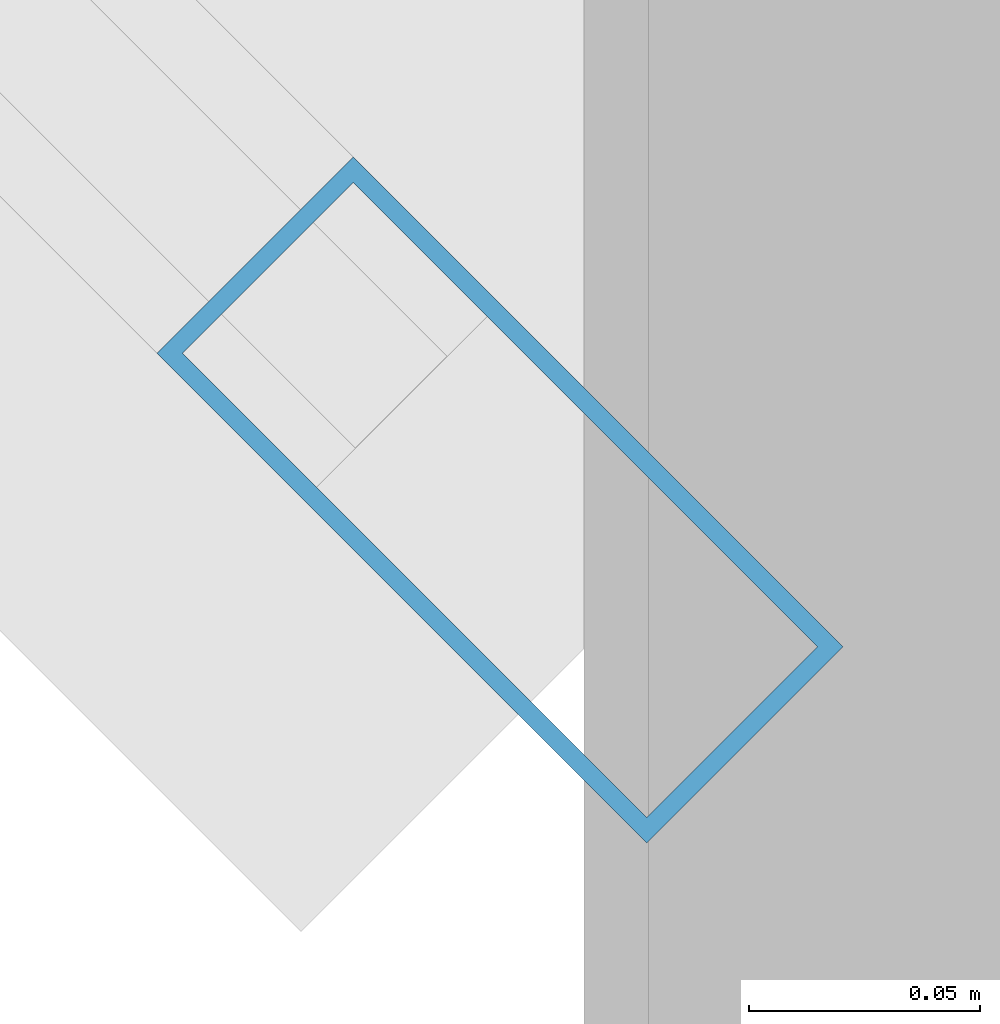
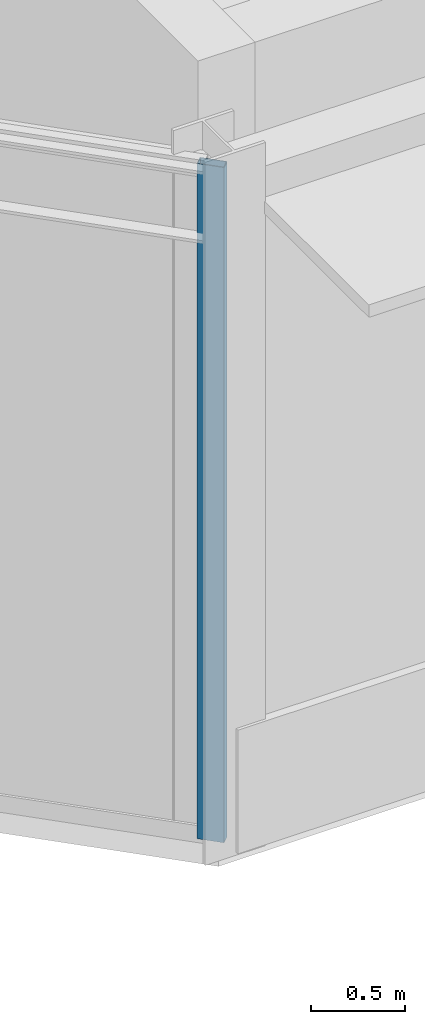
# One storey, part 44 of 133: 1 member, 1 element without a shape of its own.
"""IFC4 building model written with IfcOpenShell, lengths in metres."""

from ifc_helpers import new_model, si_unit, direction, frame, origin, origin_2d, place, context, subcontext, project, spatial, hollow_rectangle, extrude, material, material_profile, profile_set, type_object, element, aggregate, save


model = new_model("IFC4")

# Units and contexts
model_context = context("Model", 3, precision=1e-05, world=origin(), true_north=direction((0.0, 1.0)))
body_context = subcontext(model_context, "Body", "Model", "MODEL_VIEW")
ifc_project = project(units=[si_unit("LENGTHUNIT", "METRE"), si_unit("AREAUNIT", "SQUARE_METRE"), si_unit("VOLUMEUNIT", "CUBIC_METRE"), si_unit("PLANEANGLEUNIT", "RADIAN"), si_unit("MASSUNIT", "GRAM", prefix="KILO")], contexts=[model_context])

# Site, building, storey
site_placement = place(None, origin())
site = spatial("IfcSite", under=ifc_project, at=site_placement, CompositionType="ELEMENT")
building_placement = place(site_placement, origin())
building = spatial("IfcBuilding", under=site, at=building_placement, Name="Almandine Court Research Institute", CompositionType="ELEMENT")
storey_placement = place(building_placement, frame((0.0, 0.0, 9.800048828125)))
storey = spatial("IfcBuildingStorey", under=building, at=storey_placement, Name="L02", CompositionType="ELEMENT", Elevation=9.800048828125)

# Curtain wall, member
ifc_material_1 = material(Name="Unitised Curtain Wall Framing and Solar Glazing", Category="glass")
curtain_wall_type = type_object("IfcCurtainWallType", Name="CW-CWG-05", PredefinedType="USERDEFINED", material=ifc_material_1)
curtain_wall_placement = place(storey_placement, origin())
curtain_wall = element("IfcCurtainWall", 1, at=curtain_wall_placement, inside=storey, type_object=curtain_wall_type, Name="L02 Cleanroom SW Chamfer Glazing", ObjectType="UNITISED GLAZING", PredefinedType="USERDEFINED")
ifc_material_2 = material(Name="Anodised Aluminium AW-6063-T6", Category="aluminium")
ifc_material_profile = material_profile(ifc_material_2, hollow_rectangle(XDim=0.06005859375, YDim=0.14990234375, WallThickness=0.00390625, at=origin_2d()), Name="ALU RHS 60x150x4")
ifc_profile_set = profile_set([ifc_material_profile], Name="Anodised Aluminium AW-6063-T6")
member_type = type_object("IfcMemberType", Name="CWMul-60x150", PredefinedType="MULLION", material=ifc_profile_set)
member_placement = place(storey_placement, frame((10.77490234375, 84.025146484375, 0.0), z_axis=(0.0, 0.0, 1.0), x_axis=(-0.707106781187, -0.707106781187, 0.0)))
member = element("IfcMember", 2, at=member_placement, type_object=member_type, Name="CWG-05 mullion 1", PredefinedType="MULLION", context=body_context, shape_type="SweptSolid", body=[
    extrude(hollow_rectangle(XDim=0.06005859375, YDim=0.14990234375, WallThickness=0.00390625, at=origin_2d()), origin(), (0.0, 0.0, 1.0), 4.369873046875),
])
aggregate(curtain_wall, [member])

save(model, "model.ifc")
